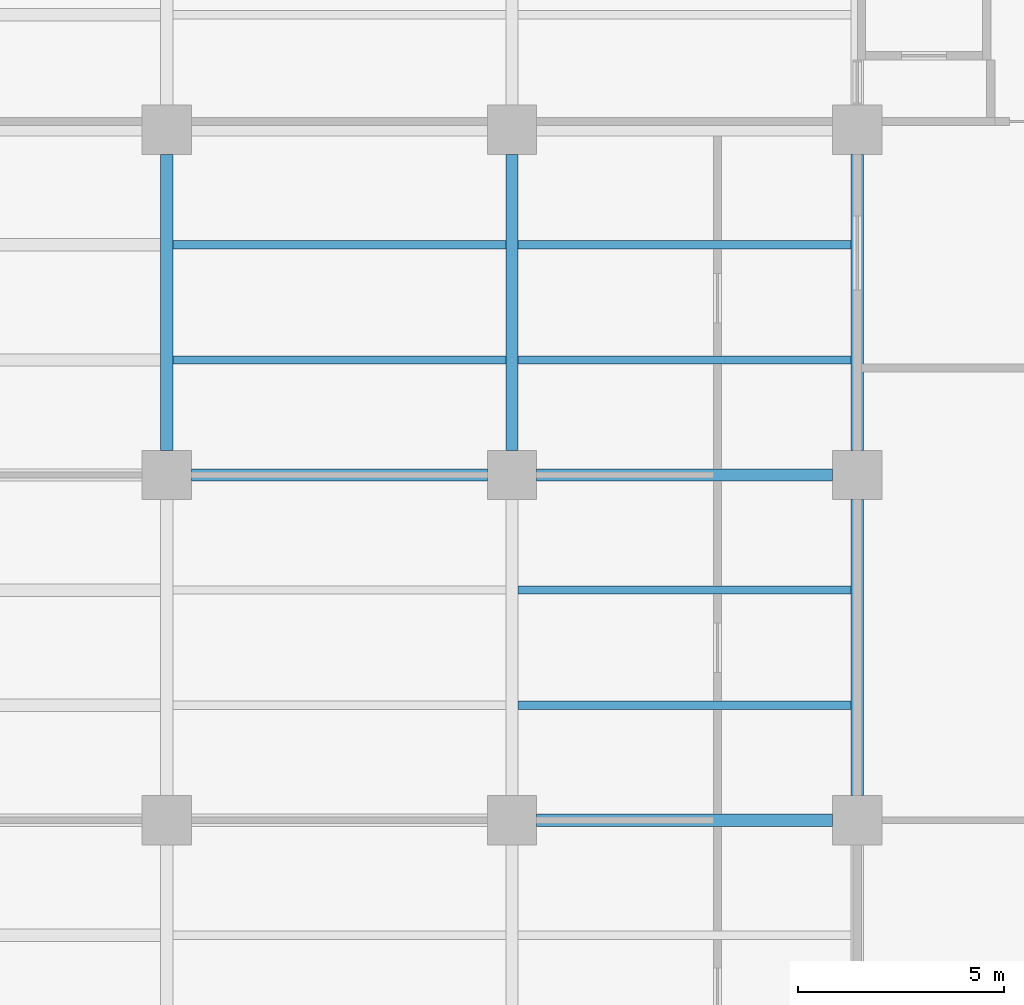
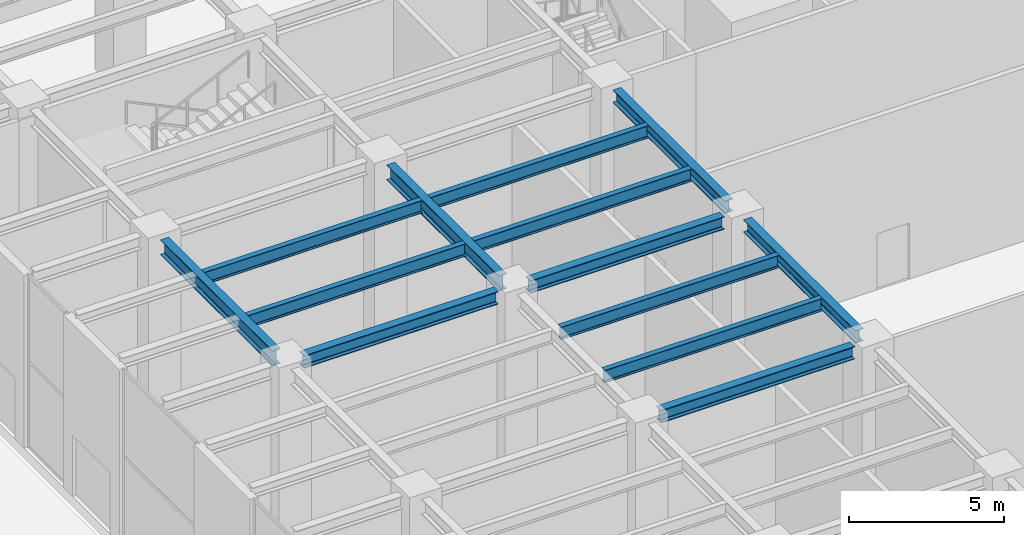
# One storey, part 10 of 43: 13 beams.
"""IFC4 building model written with IfcOpenShell, lengths in metres."""

from ifc_helpers import new_model, si_unit, direction, frame, origin, origin_2d, place, context, subcontext, project, spatial, i_section, extrude, material, material_profile, profile_set, type_object, element, save


model = new_model("IFC4")

# Units and contexts
model_context = context("Model", 3, precision=1e-05, world=origin(), true_north=direction((0.0, 1.0)))
body_context = subcontext(model_context, "Body", "Model", "MODEL_VIEW")
ifc_project = project(units=[si_unit("LENGTHUNIT", "METRE"), si_unit("AREAUNIT", "SQUARE_METRE"), si_unit("VOLUMEUNIT", "CUBIC_METRE"), si_unit("PLANEANGLEUNIT", "RADIAN"), si_unit("MASSUNIT", "GRAM", prefix="KILO")], contexts=[model_context])

# Site, building, storey
site_placement = place(None, origin())
site = spatial("IfcSite", under=ifc_project, at=site_placement, CompositionType="ELEMENT")
building_placement = place(site_placement, origin())
building = spatial("IfcBuilding", under=site, at=building_placement, Name="Khepri Terraces", CompositionType="ELEMENT")
storey_placement = place(building_placement, origin())
storey = spatial("IfcBuildingStorey", under=building, at=storey_placement, Name="L00", CompositionType="ELEMENT", Elevation=0.0)

# Beams
ifc_material = material(Name="Steel S355", Category="steel")
ifc_material_profile_1 = material_profile(ifc_material, i_section(OverallWidth=0.300048828125, OverallDepth=0.60009765625, WebThickness=0.015380859375, FlangeThickness=0.030029296875, FilletRadius=0.027099609375, at=origin_2d()), Name="Steel S355", Category="steel")
ifc_profile_set_1 = profile_set([ifc_material_profile_1], Name="Steel S355")
beam_type_1 = type_object("IfcBeamType", Name="Podium girder L01 HEB 600", PredefinedType="BEAM", material=ifc_profile_set_1)
for number, where, z_axis, x_axis, name in (
    (1, (-42.0, 9.0, 6.699951171875), (0.0, 1.0, 0.0), (-1.0, 0.0, 0.0), "Podium girder L01 008"),
    (2, (-33.60009765625, 9.0, 6.699951171875), (0.0, 1.0, 0.0), (-1.0, 0.0, 0.0), "Podium girder L01 020"),
):
    element("IfcBeam", number, at=place(storey_placement, frame(where, z_axis=z_axis, x_axis=x_axis)), inside=storey, type_object=beam_type_1, Name=name, PredefinedType="BEAM", context=body_context, shape_type="SweptSolid", body=[
        extrude(i_section(OverallWidth=0.300048828125, OverallDepth=0.60009765625, WebThickness=0.015380859375, FlangeThickness=0.030029296875, FilletRadius=0.027099609375, at=origin_2d()), origin(), (0.0, 0.0, 1.0), 7.199951171875),
    ])
ifc_material_profile_2 = material_profile(ifc_material, i_section(OverallWidth=0.300048828125, OverallDepth=0.5, WebThickness=0.014404296875, FlangeThickness=0.028076171875, FilletRadius=0.027099609375, at=origin_2d()), Name="Steel S355", Category="steel")
ifc_profile_set_2 = profile_set([ifc_material_profile_2], Name="Steel S355")
beam_type_2 = type_object("IfcBeamType", Name="Podium girder L01 grid line HEB 500", PredefinedType="BEAM", material=ifc_profile_set_2)
for number, where, z_axis, x_axis, name in (
    (3, (-33.0, 0.0, 6.75), (1.0, 0.0, 0.0), (0.0, 1.0, 0.0), "Podium grid-line girder L01 139"),
    (4, (-41.39990234375, 8.39990234375, 6.75), (1.0, 0.0, 0.0), (0.0, 1.0, 0.0), "Podium grid-line girder L01 156"),
    (5, (-33.0, 8.39990234375, 6.75), (1.0, 0.0, 0.0), (0.0, 1.0, 0.0), "Podium grid-line girder L01 157"),
):
    element("IfcBeam", number, at=place(storey_placement, frame(where, z_axis=z_axis, x_axis=x_axis)), inside=storey, type_object=beam_type_2, Name=name, PredefinedType="BEAM", context=body_context, shape_type="SweptSolid", body=[
        extrude(i_section(OverallWidth=0.300048828125, OverallDepth=0.5, WebThickness=0.014404296875, FlangeThickness=0.028076171875, FilletRadius=0.027099609375, at=origin_2d()), origin(), (0.0, 0.0, 1.0), 7.199951171875),
    ])
ifc_material_profile_3 = material_profile(ifc_material, i_section(OverallWidth=0.199951171875, OverallDepth=0.5, WebThickness=0.01025390625, FlangeThickness=0.01611328125, FilletRadius=0.02099609375, at=origin_2d()), Name="Steel S355", Category="steel")
ifc_profile_set_3 = profile_set([ifc_material_profile_3], Name="Steel S355")
beam_type_3 = type_object("IfcBeamType", Name="Podium joist L01 IPE 500", PredefinedType="JOIST", material=ifc_profile_set_3)
for number, where, z_axis, x_axis, name in (
    (6, (-33.449951171875, 2.800048828125, 6.75), (1.0, 0.0, 0.0), (0.0, 1.0, 0.0), "Podium joist L01 145"),
    (7, (-33.449951171875, 5.60009765625, 6.75), (1.0, 0.0, 0.0), (0.0, 1.0, 0.0), "Podium joist L01 151"),
):
    element("IfcBeam", number, at=place(storey_placement, frame(where, z_axis=z_axis, x_axis=x_axis)), inside=storey, type_object=beam_type_3, Name=name, PredefinedType="JOIST", context=body_context, shape_type="SweptSolid", body=[
        extrude(i_section(OverallWidth=0.199951171875, OverallDepth=0.5, WebThickness=0.01025390625, FlangeThickness=0.01611328125, FilletRadius=0.02099609375, at=origin_2d()), origin(), (0.0, 0.0, 1.0), 8.099853515625),
    ])
beam_1_placement = place(storey_placement, frame((-41.85009765625, 11.199951171875, 6.75), z_axis=(1.0, 0.0, 0.0), x_axis=(0.0, 1.0, 0.0)))
element("IfcBeam", 8, at=beam_1_placement, inside=storey, type_object=beam_type_3, Name="Podium joist L01 162", PredefinedType="JOIST", context=body_context, shape_type="SweptSolid", body=[
    extrude(i_section(OverallWidth=0.199951171875, OverallDepth=0.5, WebThickness=0.01025390625, FlangeThickness=0.01611328125, FilletRadius=0.02099609375, at=origin_2d()), origin(), (0.0, 0.0, 1.0), 8.10009765625),
])
beam_2_placement = place(storey_placement, frame((-33.449951171875, 11.199951171875, 6.75), z_axis=(1.0, 0.0, 0.0), x_axis=(0.0, 1.0, 0.0)))
element("IfcBeam", 9, at=beam_2_placement, inside=storey, type_object=beam_type_3, Name="Podium joist L01 163", PredefinedType="JOIST", context=body_context, shape_type="SweptSolid", body=[
    extrude(i_section(OverallWidth=0.199951171875, OverallDepth=0.5, WebThickness=0.01025390625, FlangeThickness=0.01611328125, FilletRadius=0.02099609375, at=origin_2d()), origin(), (0.0, 0.0, 1.0), 8.099853515625),
])
beam_3_placement = place(storey_placement, frame((-41.85009765625, 14.0, 6.75), z_axis=(1.0, 0.0, 0.0), x_axis=(0.0, 1.0, 0.0)))
element("IfcBeam", 10, at=beam_3_placement, inside=storey, type_object=beam_type_3, Name="Podium joist L01 168", PredefinedType="JOIST", context=body_context, shape_type="SweptSolid", body=[
    extrude(i_section(OverallWidth=0.199951171875, OverallDepth=0.5, WebThickness=0.01025390625, FlangeThickness=0.01611328125, FilletRadius=0.02099609375, at=origin_2d()), origin(), (0.0, 0.0, 1.0), 8.10009765625),
])
beam_4_placement = place(storey_placement, frame((-33.449951171875, 14.0, 6.75), z_axis=(1.0, 0.0, 0.0), x_axis=(0.0, 1.0, 0.0)))
element("IfcBeam", 11, at=beam_4_placement, inside=storey, type_object=beam_type_3, Name="Podium joist L01 169", PredefinedType="JOIST", context=body_context, shape_type="SweptSolid", body=[
    extrude(i_section(OverallWidth=0.199951171875, OverallDepth=0.5, WebThickness=0.01025390625, FlangeThickness=0.01611328125, FilletRadius=0.02099609375, at=origin_2d()), origin(), (0.0, 0.0, 1.0), 8.099853515625),
])
ifc_material_profile_4 = material_profile(ifc_material, i_section(OverallWidth=0.300048828125, OverallDepth=0.5, WebThickness=0.014404296875, FlangeThickness=0.028076171875, FilletRadius=0.027099609375, at=origin_2d()), Name="Steel S355", Category="steel")
ifc_profile_set_4 = profile_set([ifc_material_profile_4], Name="Steel S355")
beam_type_4 = type_object("IfcBeamType", Name="Tower ring beam HEB 500", PredefinedType="BEAM", material=ifc_profile_set_4)
for number, where, z_axis, x_axis, name in (
    (12, (-25.199951171875, 0.60009765625, 6.75), (0.0, 1.0, 0.0), (-1.0, 0.0, 0.0), "Ring beam L01 030"),
    (13, (-25.199951171875, 9.0, 6.75), (0.0, 1.0, 0.0), (-1.0, 0.0, 0.0), "Ring beam L01 031"),
):
    element("IfcBeam", number, at=place(storey_placement, frame(where, z_axis=z_axis, x_axis=x_axis)), inside=storey, type_object=beam_type_4, Name=name, PredefinedType="BEAM", context=body_context, shape_type="SweptSolid", body=[
        extrude(i_section(OverallWidth=0.300048828125, OverallDepth=0.5, WebThickness=0.014404296875, FlangeThickness=0.028076171875, FilletRadius=0.027099609375, at=origin_2d()), origin(), (0.0, 0.0, 1.0), 7.199951171875),
    ])

save(model, "model.ifc")
